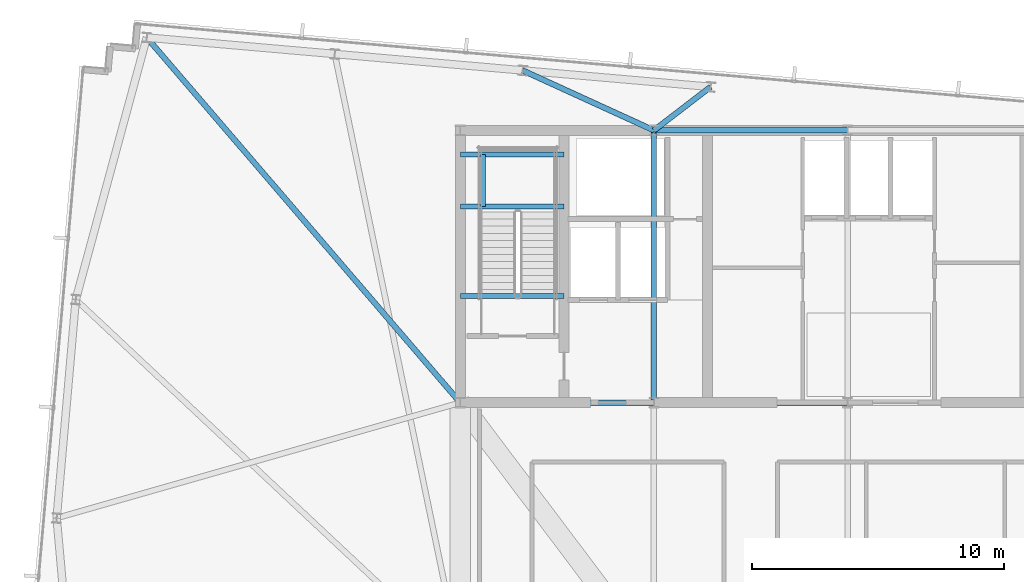
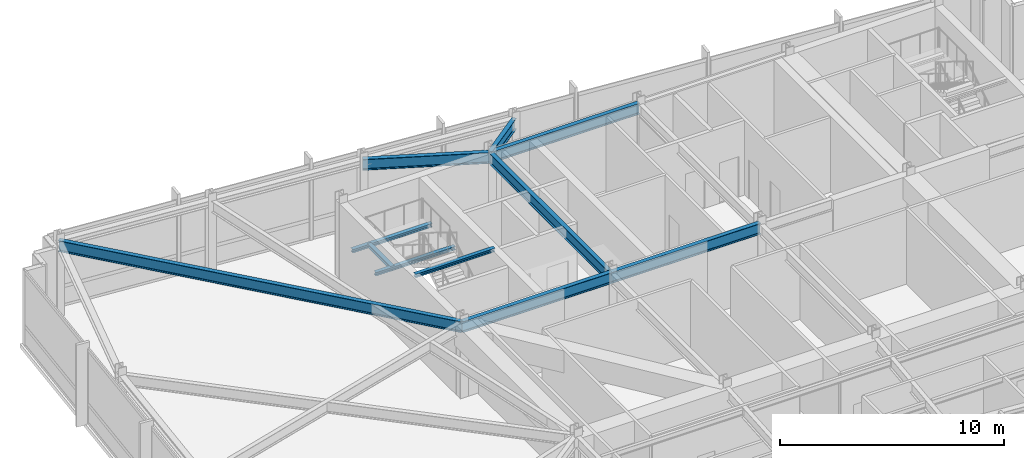
# One storey, part 9 of 25: 11 beams.
"""IFC4 building model written with IfcOpenShell, lengths in metres."""

from ifc_helpers import new_model, si_unit, direction, frame, origin, origin_2d, place, context, subcontext, project, spatial, i_section, extrude, material, material_profile, profile_set, type_object, element, save


model = new_model("IFC4")

# Units and contexts
model_context = context("Model", 3, precision=1e-05, world=origin(), true_north=direction((0.0, 1.0)))
body_context = subcontext(model_context, "Body", "Model", "MODEL_VIEW")
ifc_project = project(units=[si_unit("LENGTHUNIT", "METRE"), si_unit("AREAUNIT", "SQUARE_METRE"), si_unit("VOLUMEUNIT", "CUBIC_METRE"), si_unit("PLANEANGLEUNIT", "RADIAN"), si_unit("MASSUNIT", "GRAM", prefix="KILO")], contexts=[model_context])

# Site, building, storey
site_placement = place(None, origin())
site = spatial("IfcSite", under=ifc_project, at=site_placement, CompositionType="ELEMENT")
building_placement = place(site_placement, origin())
building = spatial("IfcBuilding", under=site, at=building_placement, Name="Yelkora Congress Tower", CompositionType="ELEMENT")
storey_placement = place(building_placement, frame((0.0, 0.0, 299.89990234375)))
storey = spatial("IfcBuildingStorey", under=building, at=storey_placement, Name="L84", CompositionType="ELEMENT", Elevation=299.89990234375)

# Beams
ifc_material = material(Name="Steel S355J2", Category="steel")
ifc_material_profile_1 = material_profile(ifc_material, i_section(OverallWidth=0.219970703125, OverallDepth=0.60009765625, WebThickness=0.011962890625, FlangeThickness=0.01904296875, FilletRadius=0.02392578125, at=origin_2d()), Name="IPE 600")
ifc_profile_set_1 = profile_set([ifc_material_profile_1], Name="Steel S355J2")
beam_type_1 = type_object("IfcBeamType", Name="BM-GIRD-IPE600", PredefinedType="BEAM", material=ifc_profile_set_1)
for number, where, z_axis, x_axis, name in (
    (1, (30.719970703125, 46.199951171875, 3.780029296875), (1.0, 0.0, 0.0), (0.0, 1.0, 0.0), "L84 Core North Girder 2"),
    (2, (23.0400390625, 35.39990234375, 3.780029296875), (1.0, 0.0, 0.0), (0.0, 1.0, 0.0), "L84 Core South Girder 1"),
    (3, (30.719970703125, 35.39990234375, 3.780029296875), (1.0, 0.0, 0.0), (0.0, 1.0, 0.0), "L84 Core South Girder 2"),
):
    element("IfcBeam", number, at=place(storey_placement, frame(where, z_axis=z_axis, x_axis=x_axis)), inside=storey, type_object=beam_type_1, Name=name, PredefinedType="BEAM", context=body_context, shape_type="SweptSolid", body=[
        extrude(i_section(OverallWidth=0.219970703125, OverallDepth=0.60009765625, WebThickness=0.011962890625, FlangeThickness=0.01904296875, FilletRadius=0.02392578125, at=origin_2d()), origin(), (0.0, 0.0, 1.0), 7.679931640625),
    ])
beam_1_placement = place(storey_placement, frame((30.719970703125, 35.39990234375, 3.780029296875), z_axis=(0.0, 1.0, 0.0), x_axis=(-1.0, 0.0, 0.0)))
element("IfcBeam", 4, at=beam_1_placement, inside=storey, type_object=beam_type_1, Name="L84 Core Tie Girder MC-S2", PredefinedType="BEAM", context=body_context, shape_type="SweptSolid", body=[
    extrude(i_section(OverallWidth=0.219970703125, OverallDepth=0.60009765625, WebThickness=0.011962890625, FlangeThickness=0.01904296875, FilletRadius=0.02392578125, at=origin_2d()), origin(), (0.0, 0.0, 1.0), 10.800048828125),
])
beam_2_placement = place(storey_placement, frame((10.60400390625, 49.884033203125, 3.780029296875), z_axis=(0.651427266579, -0.758711088859, 0.0), x_axis=(0.758711088859, 0.651427266579, 0.0)))
element("IfcBeam", 5, at=beam_2_placement, inside=storey, type_object=beam_type_1, Name="L84 Primary Frame Girder N01", PredefinedType="BEAM", context=body_context, shape_type="SweptSolid", body=[
    extrude(i_section(OverallWidth=0.219970703125, OverallDepth=0.60009765625, WebThickness=0.011962890625, FlangeThickness=0.01904296875, FilletRadius=0.02392578125, at=origin_2d()), origin(), (0.0, 0.0, 1.0), 19.09033203125),
])
beam_3_placement = place(storey_placement, frame((25.513916015625, 48.57958984375, 3.780029296875), z_axis=(0.909492445228, -0.415720449429, 0.0), x_axis=(0.415720449429, 0.909492445228, 0.0)))
element("IfcBeam", 6, at=beam_3_placement, inside=storey, type_object=beam_type_1, Name="L84 Primary Frame Girder N03", PredefinedType="BEAM", context=body_context, shape_type="SweptSolid", body=[
    extrude(i_section(OverallWidth=0.219970703125, OverallDepth=0.60009765625, WebThickness=0.011962890625, FlangeThickness=0.01904296875, FilletRadius=0.02392578125, at=origin_2d()), origin(), (0.0, 0.0, 1.0), 5.72412109375),
])
beam_4_placement = place(storey_placement, frame((32.968505859375, 47.927490234375, 3.780029296875), z_axis=(-0.792982335977, -0.609244626425, 0.0), x_axis=(0.609244626425, -0.792982335977, 0.0)))
element("IfcBeam", 7, at=beam_4_placement, inside=storey, type_object=beam_type_1, Name="L84 Primary Frame Girder N04", PredefinedType="BEAM", context=body_context, shape_type="SweptSolid", body=[
    extrude(i_section(OverallWidth=0.219970703125, OverallDepth=0.60009765625, WebThickness=0.011962890625, FlangeThickness=0.01904296875, FilletRadius=0.02392578125, at=origin_2d()), origin(), (0.0, 0.0, 1.0), 2.83544921875),
])
ifc_material_profile_2 = material_profile(ifc_material, i_section(OverallWidth=0.199951171875, OverallDepth=0.18994140625, WebThickness=0.006591796875, FlangeThickness=0.010009765625, FilletRadius=0.01806640625, at=origin_2d()), Name="HEA 200")
ifc_profile_set_2 = profile_set([ifc_material_profile_2], Name="Steel S355J2")
beam_type_2 = type_object("IfcBeamType", Name="BM-LAND-HEA200", PredefinedType="BEAM", material=ifc_profile_set_2)
for number, where, z_axis, x_axis, name in (
    (8, (23.0400390625, 43.179931640625, 1.934814453125), (1.0, 0.0, 0.0), (0.0, 1.0, 0.0), "ST-01 L84 Landing Header Beam 1S"),
    (9, (23.0400390625, 45.25, 1.934814453125), (1.0, 0.0, 0.0), (0.0, 1.0, 0.0), "ST-01 L84 Landing Header Beam 1N"),
):
    element("IfcBeam", number, at=place(storey_placement, frame(where, z_axis=z_axis, x_axis=x_axis)), inside=storey, type_object=beam_type_2, Name=name, PredefinedType="BEAM", context=body_context, shape_type="SweptSolid", body=[
        extrude(i_section(OverallWidth=0.199951171875, OverallDepth=0.18994140625, WebThickness=0.006591796875, FlangeThickness=0.010009765625, FilletRadius=0.01806640625, at=origin_2d()), origin(), (0.0, 0.0, 1.0), 4.10986328125),
    ])
beam_5_placement = place(storey_placement, frame((23.93994140625, 43.179931640625, 1.934814453125), z_axis=(0.0, 1.0, 0.0), x_axis=(-1.0, 0.0, 0.0)))
element("IfcBeam", 10, at=beam_5_placement, inside=storey, type_object=beam_type_2, Name="ST-01 L84 Landing Trimmer Beam 1M", PredefinedType="BEAM", context=body_context, shape_type="SweptSolid", body=[
    extrude(i_section(OverallWidth=0.199951171875, OverallDepth=0.18994140625, WebThickness=0.006591796875, FlangeThickness=0.010009765625, FilletRadius=0.01806640625, at=origin_2d()), origin(), (0.0, 0.0, 1.0), 2.070068359375),
])
beam_6_placement = place(storey_placement, frame((23.0400390625, 39.639892578125, 3.984619140625), z_axis=(1.0, 0.0, 0.0), x_axis=(0.0, 1.0, 0.0)))
element("IfcBeam", 11, at=beam_6_placement, inside=storey, type_object=beam_type_2, Name="ST-01 L84 Floor Arrival Stringer Header Beam", PredefinedType="BEAM", context=body_context, shape_type="SweptSolid", body=[
    extrude(i_section(OverallWidth=0.199951171875, OverallDepth=0.18994140625, WebThickness=0.006591796875, FlangeThickness=0.010009765625, FilletRadius=0.01806640625, at=origin_2d()), origin(), (0.0, 0.0, 1.0), 4.10986328125),
])

save(model, "model.ifc")
